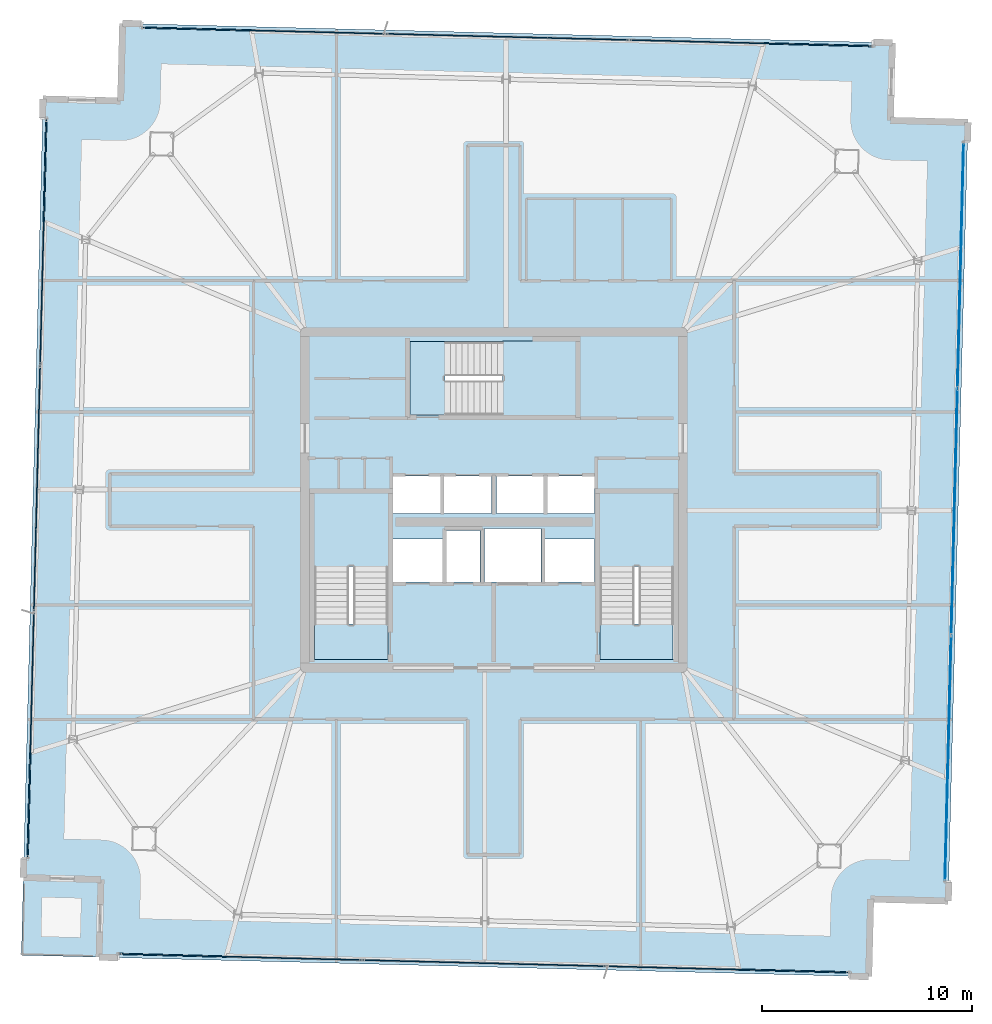
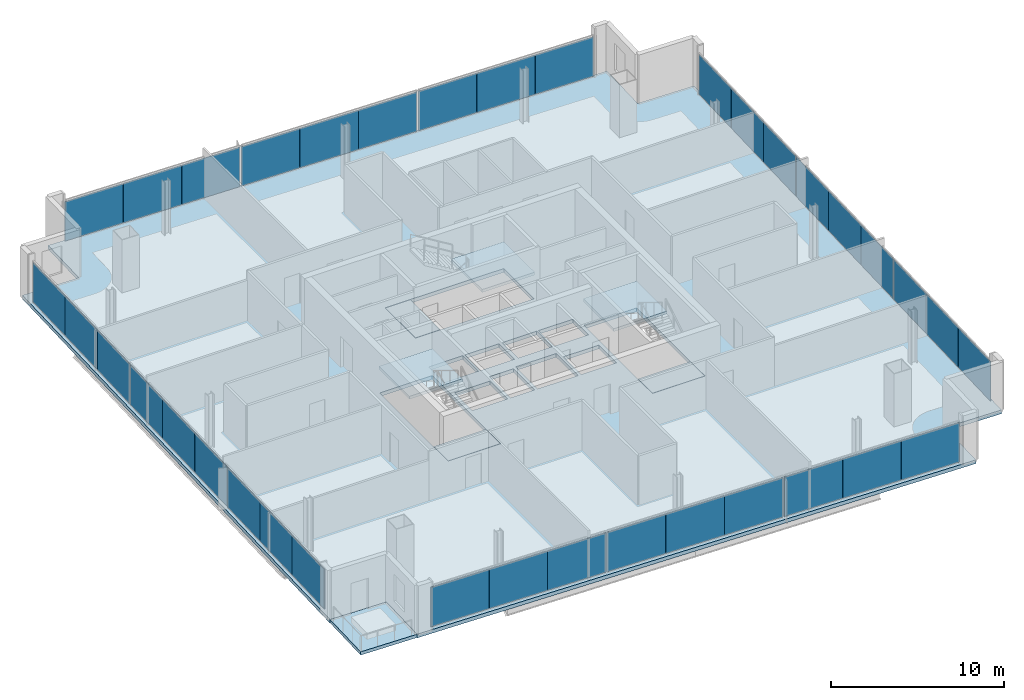
# One storey, part 18 of 25: 36 plates, 8 slabs, 7 elements without a shape of their own.
"""IFC4 building model written with IfcOpenShell, lengths in metres."""

import ifcopenshell
import ifcopenshell.guid

model = None  # the IFC model being written
_history = None  # IfcOwnerHistory: only IFC2X3 demands one
_inside = {}  # id of a spatial element -> (the spatial element, [elements in it])
_under = {}  # id of a project, library or spatial element -> (it, [spatial elements below it])
_declared = {}  # id of a project -> (the project, [libraries it declares])
_typed = {}  # id of a type object -> (the type object, [elements of that type])
_made_of = {}  # id of a material, layer set ... -> (it, [elements and type objects made of it])


def new_model(schema):
    """Start an empty IFC model of exactly this schema.

    Asked for "IFC4X3", IfcOpenShell would pick the latest addendum, in which some entities
    have other attributes; the version numbers below select the first issue.
    IFC2X3 requires an IfcOwnerHistory on every rooted entity: one is made here for all.
    """
    global model, _history
    if schema == "IFC4X3":
        model = ifcopenshell.file(schema_version=(4, 3, 0, 0))
    else:
        model = ifcopenshell.file(schema=schema)
    _inside.clear()
    _under.clear()
    _declared.clear()
    _typed.clear()
    _made_of.clear()
    _history = None
    if model.schema == "IFC2X3":
        org = make("IfcOrganization", Name="unknown")
        user = make(
            "IfcPersonAndOrganization",
            ThePerson=make("IfcPerson", FamilyName="unknown"),
            TheOrganization=org,
        )
        app = make(
            "IfcApplication",
            ApplicationDeveloper=org,
            Version="unknown",
            ApplicationFullName="unknown",
            ApplicationIdentifier="unknown",
        )
        _history = make(
            "IfcOwnerHistory",
            OwningUser=user,
            OwningApplication=app,
            ChangeAction="ADDED",
            CreationDate=0,
        )
    return model


def make(cls, **values):
    """One entity of the class cls with the attributes given. An attribute that is None is left unset."""
    return model.create_entity(
        cls, **{name: value for name, value in values.items() if value is not None}
    )


def rooted(cls, **values):
    """An entity with a GlobalId (a new one), such as an element, a storey or a relation."""
    return make(cls, GlobalId=ifcopenshell.guid.new(), OwnerHistory=_history, **values)


def si_unit(unit_type, name, prefix=None):
    """IfcSIUnit, for example si_unit("LENGTHUNIT", "METRE", prefix="MILLI")."""
    return make("IfcSIUnit", UnitType=unit_type, Prefix=prefix, Name=name)


def assignment(units):
    """IfcUnitAssignment: the units of a project."""
    return None if units is None else make("IfcUnitAssignment", Units=units)


def point(xyz):
    """IfcCartesianPoint."""
    return None if xyz is None else make("IfcCartesianPoint", Coordinates=xyz)


def direction(xyz):
    """IfcDirection."""
    return None if xyz is None else make("IfcDirection", DirectionRatios=xyz)


def frame(location, z_axis=None, x_axis=None):
    """IfcAxis2Placement3D, a coordinate frame: its origin and axes. An axis left out is left unset."""
    return make(
        "IfcAxis2Placement3D",
        Location=point(location),
        Axis=direction(z_axis),
        RefDirection=direction(x_axis),
    )


def frame_2d(location, x_axis=None):
    """IfcAxis2Placement2D, a coordinate frame in the plane: its origin and x axis."""
    return make(
        "IfcAxis2Placement2D", Location=point(location), RefDirection=direction(x_axis)
    )


def origin():
    """The frame at (0, 0, 0) with its axes left unset."""
    return frame((0.0, 0.0, 0.0))


def origin_2d():
    """The frame at (0, 0) in the plane with its x axis left unset."""
    return frame_2d((0.0, 0.0))


def place(relative_to, where):
    """IfcLocalPlacement: puts the frame where relative to a parent placement (None: the world)."""
    return make(
        "IfcLocalPlacement", PlacementRelTo=relative_to, RelativePlacement=where
    )


def context(
    kind, dimensions, precision=None, world=None, true_north=None, identifier=None
):
    """IfcGeometricRepresentationContext, for example the 3D "Model" context."""
    return make(
        "IfcGeometricRepresentationContext",
        ContextIdentifier=identifier,
        ContextType=kind,
        CoordinateSpaceDimension=dimensions,
        Precision=precision,
        WorldCoordinateSystem=world,
        TrueNorth=true_north,
    )


def subcontext(parent, identifier, kind, view, scale=None):
    """IfcGeometricRepresentationSubContext, for example "Body" below "Model"."""
    return make(
        "IfcGeometricRepresentationSubContext",
        ContextIdentifier=identifier,
        ContextType=kind,
        ParentContext=parent,
        TargetScale=scale,
        TargetView=view,
    )


def project(units=None, contexts=None):
    """IfcProject with its units and contexts."""
    return rooted(
        "IfcProject",
        Name="project",
        RepresentationContexts=contexts,
        UnitsInContext=assignment(units),
    )


def spatial(cls, under=None, at=None, **own):
    """A site, building, storey or space (cls), placed at a placement, below another one or the project."""
    s = rooted(cls, ObjectPlacement=at, **own)
    if under is not None:
        _under.setdefault(under.id(), (under, []))[1].append(s)
    return s


def polyline(points):
    """IfcPolyline through the points."""
    return make("IfcPolyline", Points=[point(p) for p in points])


def profile(cls, at=None, kind="AREA", **sizes):
    """A parametric profile (cls). Its sizes go by their IFC names, for example OverallWidth=200.0."""
    return make(cls, ProfileType=kind, Position=at, **sizes)


def rectangle(**sizes):
    """IfcRectangleProfileDef."""
    return profile("IfcRectangleProfileDef", **sizes)


def outline(outer, holes=None, kind="AREA"):
    """IfcArbitraryClosedProfileDef: a profile drawn as a closed curve; with holes, ...WithVoids."""
    if holes is None:
        return make("IfcArbitraryClosedProfileDef", ProfileType=kind, OuterCurve=outer)
    return make(
        "IfcArbitraryProfileDefWithVoids",
        ProfileType=kind,
        OuterCurve=outer,
        InnerCurves=holes,
    )


def extrude(swept, where, along, depth):
    """IfcExtrudedAreaSolid: the profile swept, set in the frame where, extruded along a direction by depth."""
    return make(
        "IfcExtrudedAreaSolid",
        SweptArea=swept,
        Position=where,
        ExtrudedDirection=direction(along),
        Depth=depth,
    )


def shape(context_of_items, identifier, shape_type, items):
    """IfcShapeRepresentation: the items that make up one representation, for example the "Body"."""
    return make(
        "IfcShapeRepresentation",
        ContextOfItems=context_of_items,
        RepresentationIdentifier=identifier,
        RepresentationType=shape_type,
        Items=items,
    )


def source(mapping_origin, context_of_items, identifier, shape_type, items):
    """IfcRepresentationMap: a shape defined once, which mapped items show again and again."""
    return make(
        "IfcRepresentationMap",
        MappingOrigin=mapping_origin,
        MappedRepresentation=shape(context_of_items, identifier, shape_type, items),
    )


def transform(
    local_origin,
    x_axis=None,
    y_axis=None,
    z_axis=None,
    scale=None,
    scale2=None,
    scale3=None,
    uniform=True,
):
    """IfcCartesianTransformationOperator3D, or its non-uniform kind. x_axis, y_axis, z_axis: its Axis1, 2, 3."""
    if uniform:
        return make(
            "IfcCartesianTransformationOperator3D",
            Axis1=direction(x_axis),
            Axis2=direction(y_axis),
            LocalOrigin=point(local_origin),
            Scale=scale,
            Axis3=direction(z_axis),
        )
    return make(
        "IfcCartesianTransformationOperator3DnonUniform",
        Axis1=direction(x_axis),
        Axis2=direction(y_axis),
        LocalOrigin=point(local_origin),
        Scale=scale,
        Axis3=direction(z_axis),
        Scale2=scale2,
        Scale3=scale3,
    )


def mapped(mapping_source, mapping_target):
    """IfcMappedItem: shows the shape of a source again, moved by a transform."""
    return make(
        "IfcMappedItem", MappingSource=mapping_source, MappingTarget=mapping_target
    )


def material(Name=None, Category=None):
    """IfcMaterial."""
    return make("IfcMaterial", Name=Name, Category=Category)


def layer(
    of_material, thickness, ventilated=None, Name=None, Category=None, Priority=None
):
    """IfcMaterialLayer: one layer of a wall or slab, of a material (None: an air gap)."""
    return make(
        "IfcMaterialLayer",
        Material=of_material,
        LayerThickness=thickness,
        IsVentilated=ventilated,
        Name=Name,
        Category=Category,
        Priority=Priority,
    )


def layer_set(layers, Name=None):
    """IfcMaterialLayerSet."""
    return make("IfcMaterialLayerSet", MaterialLayers=layers, LayerSetName=Name)


def made_of(thing, what):
    """Note that an element or type object is made of a material, layer set ...; save() writes the relation."""
    if what is not None:
        _made_of.setdefault(what.id(), (what, []))[1].append(thing)
    return thing


def type_object(cls, material=None, **own):
    """A type object (cls), such as IfcWallType, which elements share."""
    return made_of(rooted(cls, **own), material)


def element(
    cls,
    number,
    at=None,
    inside=None,
    cuts=None,
    type_object=None,
    material=None,
    context=None,
    identifier="Body",
    shape_type=None,
    held_by="IfcProductDefinitionShape",
    body=None,
    shapes=None,
    **own,
):
    """One element of the class cls, such as IfcWall. Its Tag is "e" and its number.

    at: its placement. inside: the storey or other place that contains it. cuts: it is an
    opening in that element (IfcRelVoidsElement). A single representation is given by context,
    identifier, shape_type and body (its items); several are given by shapes. held_by: the class
    of the entity that holds the representations. save() writes the other relations.
    """
    e = rooted(cls, Tag="e%d" % number, ObjectPlacement=at, **own)
    if body is not None:
        shapes = [shape(context, identifier, shape_type, body)]
    if shapes is not None:
        e.Representation = make(held_by, Representations=shapes)
    if inside is not None:
        _inside.setdefault(inside.id(), (inside, []))[1].append(e)
    if cuts is not None:
        rooted(
            "IfcRelVoidsElement", RelatingBuildingElement=cuts, RelatedOpeningElement=e
        )
    if type_object is not None:
        _typed.setdefault(type_object.id(), (type_object, []))[1].append(e)
    return made_of(e, material)


def aggregate(whole, parts):
    """IfcRelAggregates: a whole, such as a stair, and the parts it consists of."""
    return rooted("IfcRelAggregates", RelatingObject=whole, RelatedObjects=parts)


def save(model, path):
    """Write the relations noted so far, then the file.

    IfcRelAggregates (storeys below a building ...), IfcRelContainedInSpatialStructure (elements
    in a storey), IfcRelDefinesByType, IfcRelAssociatesMaterial and IfcRelDeclares: one each for
    every whole, place, type object, material and project.
    """
    for whole, parts in _under.values():
        aggregate(whole, parts)
    for where, things in _inside.values():
        rooted(
            "IfcRelContainedInSpatialStructure",
            RelatedElements=things,
            RelatingStructure=where,
        )
    for kind, things in _typed.values():
        rooted("IfcRelDefinesByType", RelatedObjects=things, RelatingType=kind)
    for what, things in _made_of.values():
        rooted("IfcRelAssociatesMaterial", RelatedObjects=things, RelatingMaterial=what)
    for by, libraries in _declared.values():
        rooted("IfcRelDeclares", RelatingContext=by, RelatedDefinitions=libraries)
    model.write(path)


model = new_model("IFC4")

# Units and contexts
model_context = context("Model", 3, precision=1e-05, world=origin(), true_north=direction((0.0, 1.0)))
body_context = subcontext(model_context, "Body", "Model", "MODEL_VIEW")
ifc_project = project(units=[si_unit("LENGTHUNIT", "METRE"), si_unit("AREAUNIT", "SQUARE_METRE"), si_unit("VOLUMEUNIT", "CUBIC_METRE"), si_unit("PLANEANGLEUNIT", "RADIAN"), si_unit("MASSUNIT", "GRAM", prefix="KILO")], contexts=[model_context])

# Site, building, storey
site_placement = place(None, origin())
site = spatial("IfcSite", under=ifc_project, at=site_placement, CompositionType="ELEMENT")
building_placement = place(site_placement, origin())
building = spatial("IfcBuilding", under=site, at=building_placement, Name="Haldenkirk Collegiate Tower", CompositionType="ELEMENT")
storey_placement = place(building_placement, frame((0.0, 0.0, 325.199951171875)))
storey = spatial("IfcBuildingStorey", under=building, at=storey_placement, Name="L82", CompositionType="ELEMENT", Elevation=325.199951171875)

# Slab
ifc_material_1 = material(Name="Concrete f'c 40 MPa", Category="concrete")
ifc_layer_1 = layer(ifc_material_1, 0.260009765625)
ifc_layer_set_1 = layer_set([ifc_layer_1], Name="Concrete f'c 40 MPa")
slab_type_1 = type_object("IfcSlabType", Name="SLB-FLR-260", PredefinedType="FLOOR", material=ifc_layer_set_1)
slab_1_placement = place(storey_placement, frame((0.0, 0.0, -0.260009765625)))
element("IfcSlab", 1, at=slab_1_placement, inside=storey, type_object=slab_type_1, Name="L82 composite structural floor slab", PredefinedType="FLOOR", context=body_context, shape_type="SweptSolid", body=[
    extrude(outline(polyline([(57.6484375, 6.89599609375), (58.58740234375, 43.984130859375), (54.888427734375, 44.077880859375), (54.982177734375, 47.776611328125), (18.31884765625, 48.70458984375), (18.22509765625, 45.005859375), (14.5263671875, 45.099609375), (13.587646484375, 8.011474609375), (17.286376953125, 7.917724609375), (17.19287109375, 4.218994140625), (53.856201171875, 3.291015625), (53.94970703125, 6.98974609375), (57.6484375, 6.89599609375)]), holes=[polyline([(27.449951171875, 18.39990234375), (30.949951171875, 18.39990234375), (30.949951171875, 26.300048828125), (27.449951171875, 26.300048828125), (27.449951171875, 18.39990234375)]), polyline([(41.050048828125, 18.39990234375), (44.550048828125, 18.39990234375), (44.550048828125, 26.300048828125), (41.050048828125, 26.300048828125), (41.050048828125, 18.39990234375)]), polyline([(32.0, 30.050048828125), (39.89990234375, 30.050048828125), (39.89990234375, 33.550048828125), (32.0, 33.550048828125), (32.0, 30.050048828125)]), polyline([(33.75, 22.10009765625), (35.35009765625, 22.10009765625), (35.35009765625, 24.550048828125), (33.75, 24.550048828125), (33.75, 22.10009765625)]), polyline([(31.199951171875, 25.35009765625), (33.47998046875, 25.35009765625), (33.47998046875, 27.14990234375), (31.199951171875, 27.14990234375), (31.199951171875, 25.35009765625)]), polyline([(33.60009765625, 25.35009765625), (35.8798828125, 25.35009765625), (35.8798828125, 27.14990234375), (33.60009765625, 27.14990234375), (33.60009765625, 25.35009765625)]), polyline([(36.1201171875, 25.35009765625), (38.39990234375, 25.35009765625), (38.39990234375, 27.14990234375), (36.1201171875, 27.14990234375), (36.1201171875, 25.35009765625)]), polyline([(38.52001953125, 25.35009765625), (40.800048828125, 25.35009765625), (40.800048828125, 27.14990234375), (38.52001953125, 27.14990234375), (38.52001953125, 25.35009765625)]), polyline([(31.199951171875, 22.10009765625), (33.550048828125, 22.10009765625), (33.550048828125, 24.14990234375), (31.199951171875, 24.14990234375), (31.199951171875, 22.10009765625)]), polyline([(38.449951171875, 22.10009765625), (40.800048828125, 22.10009765625), (40.800048828125, 24.14990234375), (38.449951171875, 24.14990234375), (38.449951171875, 22.10009765625)]), polyline([(35.550048828125, 22.10009765625), (38.25, 22.10009765625), (38.25, 24.64990234375), (35.550048828125, 24.64990234375), (35.550048828125, 22.10009765625)])]), origin(), (0.0, 0.0, 1.0), 0.260009765625),
])

# Stair, slab
stair_type = type_object("IfcStairType", Name="STR-DOGLEG-1650", PredefinedType="HALF_TURN_STAIR", material=ifc_material_1)
stair_1_placement = place(storey_placement, origin())
stair_1 = element("IfcStair", 2, at=stair_1_placement, inside=storey, type_object=stair_type, Name="L82 Core Exit Stair ST-1", PredefinedType="HALF_TURN_STAIR")
ifc_layer_2 = layer(ifc_material_1, 0.199951171875)
ifc_layer_set_2 = layer_set([ifc_layer_2], Name="Concrete f'c 40 MPa")
slab_type_2 = type_object("IfcSlabType", Name="SLB-LANDING-200", PredefinedType="LANDING", material=ifc_layer_set_2)
slab_2_placement = place(storey_placement, frame((0.0, 0.0, 1.675048828125)))
slab_2 = element("IfcSlab", 3, at=slab_2_placement, type_object=slab_type_2, Name="ST-1 landing 1", PredefinedType="LANDING", context=body_context, shape_type="SweptSolid", body=[
    extrude(outline(polyline([(30.97509765625, 22.824951171875), (27.425048828125, 22.824951171875), (27.425048828125, 26.324951171875), (30.97509765625, 26.324951171875), (30.97509765625, 22.824951171875)])), origin(), (0.0, 0.0, 1.0), 0.199951171875),
])
aggregate(stair_1, [slab_2])

stair_2_placement = place(storey_placement, origin())
stair_2 = element("IfcStair", 4, at=stair_2_placement, inside=storey, type_object=stair_type, Name="L82 Core Exit Stair ST-2", PredefinedType="HALF_TURN_STAIR")
slab_3_placement = place(storey_placement, frame((0.0, 0.0, 1.675048828125)))
slab_3 = element("IfcSlab", 5, at=slab_3_placement, type_object=slab_type_2, Name="ST-2 landing 1", PredefinedType="LANDING", context=body_context, shape_type="SweptSolid", body=[
    extrude(outline(polyline([(44.574951171875, 22.824951171875), (41.02490234375, 22.824951171875), (41.02490234375, 26.324951171875), (44.574951171875, 26.324951171875), (44.574951171875, 22.824951171875)])), origin(), (0.0, 0.0, 1.0), 0.199951171875),
])
aggregate(stair_2, [slab_3])

stair_3_placement = place(storey_placement, origin())
stair_3 = element("IfcStair", 6, at=stair_3_placement, inside=storey, type_object=stair_type, Name="L82 Core Exit Stair ST-3", PredefinedType="HALF_TURN_STAIR")
slab_4_placement = place(storey_placement, frame((0.0, 0.0, 1.675048828125)))
slab_4 = element("IfcSlab", 7, at=slab_4_placement, type_object=slab_type_2, Name="ST-3 landing 1", PredefinedType="LANDING", context=body_context, shape_type="SweptSolid", body=[
    extrude(outline(polyline([(36.425048828125, 30.02490234375), (36.425048828125, 33.574951171875), (39.925048828125, 33.574951171875), (39.925048828125, 30.02490234375), (36.425048828125, 30.02490234375)])), origin(), (0.0, 0.0, 1.0), 0.199951171875),
])
aggregate(stair_3, [slab_4])

# Slabs
ifc_layer_3 = layer(ifc_material_1, 0.25)
ifc_layer_set_3 = layer_set([ifc_layer_3], Name="Concrete f'c 40 MPa")
slab_type_3 = type_object("IfcSlabType", Name="SLB-STAIRLAND-250", PredefinedType="LANDING", material=ifc_layer_set_3)
slab_5_placement = place(storey_placement, frame((0.0, 0.0, -0.25)))
element("IfcSlab", 8, at=slab_5_placement, inside=storey, type_object=slab_type_3, Name="L82 stair ST1 structural floor landing slab", PredefinedType="LANDING", context=body_context, shape_type="SweptSolid", body=[
    extrude(outline(polyline([(27.4599609375, 18.409912109375), (30.93994140625, 18.409912109375), (30.93994140625, 20.080078125), (27.4599609375, 20.080078125), (27.4599609375, 18.409912109375)])), origin(), (0.0, 0.0, 1.0), 0.25),
])
slab_6_placement = place(storey_placement, frame((0.0, 0.0, -0.25)))
element("IfcSlab", 9, at=slab_6_placement, inside=storey, type_object=slab_type_3, Name="L82 stair ST2 structural floor landing slab", PredefinedType="LANDING", context=body_context, shape_type="SweptSolid", body=[
    extrude(outline(polyline([(41.06005859375, 18.409912109375), (44.5400390625, 18.409912109375), (44.5400390625, 20.080078125), (41.06005859375, 20.080078125), (41.06005859375, 18.409912109375)])), origin(), (0.0, 0.0, 1.0), 0.25),
])
slab_7_placement = place(storey_placement, frame((0.0, 0.0, -0.25)))
element("IfcSlab", 10, at=slab_7_placement, inside=storey, type_object=slab_type_3, Name="L82 stair ST3 structural floor landing slab", PredefinedType="LANDING", context=body_context, shape_type="SweptSolid", body=[
    extrude(outline(polyline([(32.010009765625, 30.06005859375), (33.679931640625, 30.06005859375), (33.679931640625, 33.5400390625), (32.010009765625, 33.5400390625), (32.010009765625, 30.06005859375)])), origin(), (0.0, 0.0, 1.0), 0.25),
])
ifc_layer_4 = layer(ifc_material_1, 0.22998046875)
ifc_layer_set_4 = layer_set([ifc_layer_4], Name="Concrete f'c 40 MPa")
slab_type_4 = type_object("IfcSlabType", Name="SLB-TERR-SPIRAL-230", PredefinedType="FLOOR", material=ifc_layer_set_4)
slab_8_placement = place(storey_placement, frame((0.0, 0.0, -0.22998046875)))
element("IfcSlab", 11, at=slab_8_placement, inside=storey, type_object=slab_type_4, Name="L82 spiralling corner terrace slab", PredefinedType="FLOOR", context=body_context, shape_type="SweptSolid", body=[
    extrude(outline(polyline([(17.19287109375, 4.218994140625), (17.286376953125, 7.917724609375), (13.587646484375, 8.011474609375), (13.493896484375, 4.3125), (17.19287109375, 4.218994140625)])), origin(), (0.0, 0.0, 1.0), 0.22998046875),
])

# Curtain wall, plates
ifc_material_2 = material(Name="Anodised architectural bronze aluminium", Category="aluminium")
curtain_wall_type_1 = type_object("IfcCurtainWallType", Name="CW-SYS2-CONCAVE", PredefinedType="USERDEFINED", material=ifc_material_2)
curtain_wall_1_placement = place(storey_placement, origin())
curtain_wall_1 = element("IfcCurtainWall", 12, at=curtain_wall_1_placement, inside=storey, type_object=curtain_wall_type_1, Name="L82 South concave recessed bronze-anodised curtain wall", ObjectType="UNITISED CURTAIN WALL", PredefinedType="USERDEFINED")
ifc_material_3 = material(Name="Low-E argon triple insulating glass", Category="glass")
ifc_layer_5 = layer(ifc_material_3, 0.0419921875)
ifc_layer_set_5 = layer_set([ifc_layer_5], Name="Low-E argon triple insulating glass")
plate_type_1 = type_object("IfcPlateType", Name="CW-PNL-02", PredefinedType="CURTAIN_PANEL", material=ifc_layer_set_5)
shared_shape_1 = source(origin(), body_context, "Body", "SweptSolid", [
    extrude(rectangle(XDim=3.872314453125, YDim=0.0419921875, at=origin_2d()), origin(), (0.0, 0.0, 1.0), 2.798095703125),
])
plate_1_placement = place(storey_placement, frame((58.333740234375, 41.07861328125, 0.0751953125), z_axis=(0.0, 0.0, 1.0), x_axis=(-0.025303114586, -0.99967982494, 0.0)))
plate_1 = element("IfcPlate", 13, at=plate_1_placement, type_object=plate_type_1, Name="CW-02 panel 1.1a", PredefinedType="CURTAIN_PANEL", context=body_context, shape_type="MappedRepresentation", body=[
    mapped(shared_shape_1, transform((0.0, 0.0, 0.0), x_axis=(1.0, 0.0, 0.0), y_axis=(0.0, 1.0, 0.0), z_axis=(0.0, 0.0, 1.0), scale=1.0)),
])
ifc_material_4 = material(Name="Bronze-anodised insulated aluminium spandrel panel", Category="aluminium")
ifc_layer_6 = layer(ifc_material_4, 0.0419921875)
ifc_layer_set_6 = layer_set([ifc_layer_6], Name="Bronze-anodised insulated aluminium spandrel panel")
plate_type_2 = type_object("IfcPlateType", Name="CW-SPD-02", PredefinedType="CURTAIN_PANEL", material=ifc_layer_set_6)
plate_2_placement = place(storey_placement, frame((58.13671875, 33.29931640625, 0.0751953125), z_axis=(0.0, 0.0, 1.0), x_axis=(-0.025303114586, -0.99967982494, 0.0)))
plate_2 = element("IfcPlate", 14, at=plate_2_placement, type_object=plate_type_2, Name="CW-02 spandrel panel 1.1c", PredefinedType="CURTAIN_PANEL", context=body_context, shape_type="MappedRepresentation", body=[
    mapped(shared_shape_1, transform((0.0, 0.0, 0.0), x_axis=(1.0, 0.0, 0.0), y_axis=(0.0, 1.0, 0.0), z_axis=(0.0, 0.0, 1.0), scale=1.0)),
])
plate_3_placement = place(storey_placement, frame((57.93798828125, 25.44482421875, 0.0751953125), z_axis=(0.0, 0.0, 1.0), x_axis=(-0.025303114586, -0.99967982494, 0.0)))
plate_3 = element("IfcPlate", 15, at=plate_3_placement, type_object=plate_type_1, Name="CW-02 panel 2.1b", PredefinedType="CURTAIN_PANEL", context=body_context, shape_type="MappedRepresentation", body=[
    mapped(shared_shape_1, transform((0.0, 0.0, 0.0), x_axis=(1.0, 0.0, 0.0), y_axis=(0.0, 1.0, 0.0), z_axis=(0.0, 0.0, 1.0), scale=1.0)),
])
plate_4_placement = place(storey_placement, frame((57.7392578125, 17.59033203125, 0.0751953125), z_axis=(0.0, 0.0, 1.0), x_axis=(-0.025303114586, -0.99967982494, 0.0)))
plate_4 = element("IfcPlate", 16, at=plate_4_placement, type_object=plate_type_2, Name="CW-02 spandrel panel 3.1a", PredefinedType="CURTAIN_PANEL", context=body_context, shape_type="MappedRepresentation", body=[
    mapped(shared_shape_1, transform((0.0, 0.0, 0.0), x_axis=(1.0, 0.0, 0.0), y_axis=(0.0, 1.0, 0.0), z_axis=(0.0, 0.0, 1.0), scale=1.0)),
])
plate_5_placement = place(storey_placement, frame((57.542236328125, 9.810791015625, 0.0751953125), z_axis=(0.0, 0.0, 1.0), x_axis=(-0.025303114586, -0.99967982494, 0.0)))
plate_5 = element("IfcPlate", 17, at=plate_5_placement, type_object=plate_type_1, Name="CW-02 panel 3.1c", PredefinedType="CURTAIN_PANEL", context=body_context, shape_type="MappedRepresentation", body=[
    mapped(shared_shape_1, transform((0.0, 0.0, 0.0), x_axis=(1.0, 0.0, 0.0), y_axis=(0.0, 1.0, 0.0), z_axis=(0.0, 0.0, 1.0), scale=1.0)),
])
shared_shape_2 = source(origin(), body_context, "Body", "SweptSolid", [
    extrude(rectangle(XDim=3.859619140625, YDim=0.0419921875, at=origin_2d()), origin(), (0.0, 0.0, 1.0), 2.798095703125),
])
plate_6_placement = place(storey_placement, frame((58.2353515625, 37.18896484375, 0.0751953125), z_axis=(0.0, 0.0, 1.0), x_axis=(-0.025303114586, -0.99967982494, 0.0)))
plate_6 = element("IfcPlate", 18, at=plate_6_placement, type_object=plate_type_1, Name="CW-02 panel 1.1b", PredefinedType="CURTAIN_PANEL", context=body_context, shape_type="MappedRepresentation", body=[
    mapped(shared_shape_2, transform((0.0, 0.0, 0.0), x_axis=(1.0, 0.0, 0.0), y_axis=(0.0, 1.0, 0.0), z_axis=(0.0, 0.0, 1.0), scale=1.0)),
])
plate_7_placement = place(storey_placement, frame((57.640625, 13.70068359375, 0.0751953125), z_axis=(0.0, 0.0, 1.0), x_axis=(-0.025303114586, -0.99967982494, 0.0)))
plate_7 = element("IfcPlate", 19, at=plate_7_placement, type_object=plate_type_1, Name="CW-02 panel 3.1b", PredefinedType="CURTAIN_PANEL", context=body_context, shape_type="MappedRepresentation", body=[
    mapped(shared_shape_2, transform((0.0, 0.0, 0.0), x_axis=(1.0, 0.0, 0.0), y_axis=(0.0, 1.0, 0.0), z_axis=(0.0, 0.0, 1.0), scale=1.0)),
])
shared_shape_3 = source(origin(), body_context, "Body", "SweptSolid", [
    extrude(rectangle(XDim=3.884765625, YDim=0.0419921875, at=origin_2d()), origin(), (0.0, 0.0, 1.0), 2.798095703125),
])
plate_8_placement = place(storey_placement, frame((58.036865234375, 29.346923828125, 0.0751953125), z_axis=(0.0, 0.0, 1.0), x_axis=(-0.025303114586, -0.99967982494, 0.0)))
plate_8 = element("IfcPlate", 20, at=plate_8_placement, type_object=plate_type_2, Name="CW-02 spandrel panel 2.1a", PredefinedType="CURTAIN_PANEL", context=body_context, shape_type="MappedRepresentation", body=[
    mapped(shared_shape_3, transform((0.0, 0.0, 0.0), x_axis=(1.0, 0.0, 0.0), y_axis=(0.0, 1.0, 0.0), z_axis=(0.0, 0.0, 1.0), scale=1.0)),
])
plate_9_placement = place(storey_placement, frame((57.839111328125, 21.54248046875, 0.0751953125), z_axis=(0.0, 0.0, 1.0), x_axis=(-0.025303114586, -0.99967982494, 0.0)))
plate_9 = element("IfcPlate", 21, at=plate_9_placement, type_object=plate_type_2, Name="CW-02 spandrel panel 2.1c", PredefinedType="CURTAIN_PANEL", context=body_context, shape_type="MappedRepresentation", body=[
    mapped(shared_shape_3, transform((0.0, 0.0, 0.0), x_axis=(1.0, 0.0, 0.0), y_axis=(0.0, 1.0, 0.0), z_axis=(0.0, 0.0, 1.0), scale=1.0)),
])
aggregate(curtain_wall_1, [plate_1, plate_6, plate_2, plate_8, plate_3, plate_9, plate_4, plate_7, plate_5])

curtain_wall_type_2 = type_object("IfcCurtainWallType", Name="CW-SYS1B-CONVEX-HI", PredefinedType="USERDEFINED", material=ifc_material_2)
curtain_wall_2_placement = place(storey_placement, origin())
curtain_wall_2 = element("IfcCurtainWall", 22, at=curtain_wall_2_placement, inside=storey, type_object=curtain_wall_type_2, Name="L82 Upper tower high-wind convex bronze unitised curtain wall", ObjectType="UNITISED CURTAIN WALL", PredefinedType="USERDEFINED")
ifc_layer_7 = layer(ifc_material_3, 0.048095703125)
ifc_layer_set_7 = layer_set([ifc_layer_7], Name="Low-E argon triple insulating glass")
plate_type_3 = type_object("IfcPlateType", Name="CW-PNL-1B", PredefinedType="CURTAIN_PANEL", material=ifc_layer_set_7)
shared_shape_4 = source(origin(), body_context, "Body", "SweptSolid", [
    extrude(rectangle(XDim=3.820068359375, YDim=0.048095703125, at=origin_2d()), origin(), (0.0, 0.0, 1.0), 2.778076171875),
])
plate_10_placement = place(storey_placement, frame((21.20849609375, 48.451416015625, 0.0849609375), z_axis=(0.0, 0.0, 1.0), x_axis=(0.999679785238, -0.0253046831, 0.0)))
plate_10 = element("IfcPlate", 23, at=plate_10_placement, type_object=plate_type_3, Name="CW-1B panel 1.1a", PredefinedType="CURTAIN_PANEL", context=body_context, shape_type="MappedRepresentation", body=[
    mapped(shared_shape_4, transform((0.0, 0.0, 0.0), x_axis=(1.0, 0.0, 0.0), y_axis=(0.0, 1.0, 0.0), z_axis=(0.0, 0.0, 1.0), scale=1.0)),
])
ifc_layer_8 = layer(ifc_material_4, 0.048095703125)
ifc_layer_set_8 = layer_set([ifc_layer_8], Name="Bronze-anodised insulated aluminium spandrel panel")
plate_type_4 = type_object("IfcPlateType", Name="CW-SPD-1B", PredefinedType="CURTAIN_PANEL", material=ifc_layer_set_8)
plate_11_placement = place(storey_placement, frame((28.88330078125, 48.257080078125, 0.0849609375), z_axis=(0.0, 0.0, 1.0), x_axis=(0.999679785238, -0.0253046831, 0.0)))
plate_11 = element("IfcPlate", 24, at=plate_11_placement, type_object=plate_type_4, Name="CW-1B spandrel panel 1.1c", PredefinedType="CURTAIN_PANEL", context=body_context, shape_type="MappedRepresentation", body=[
    mapped(shared_shape_4, transform((0.0, 0.0, 0.0), x_axis=(1.0, 0.0, 0.0), y_axis=(0.0, 1.0, 0.0), z_axis=(0.0, 0.0, 1.0), scale=1.0)),
])
plate_12_placement = place(storey_placement, frame((44.408447265625, 47.8642578125, 0.0849609375), z_axis=(0.0, 0.0, 1.0), x_axis=(0.999679785238, -0.0253046831, 0.0)))
plate_12 = element("IfcPlate", 25, at=plate_12_placement, type_object=plate_type_4, Name="CW-1B spandrel panel 3.1a", PredefinedType="CURTAIN_PANEL", context=body_context, shape_type="MappedRepresentation", body=[
    mapped(shared_shape_4, transform((0.0, 0.0, 0.0), x_axis=(1.0, 0.0, 0.0), y_axis=(0.0, 1.0, 0.0), z_axis=(0.0, 0.0, 1.0), scale=1.0)),
])
plate_13_placement = place(storey_placement, frame((52.08349609375, 47.669921875, 0.0849609375), z_axis=(0.0, 0.0, 1.0), x_axis=(0.999679785238, -0.0253046831, 0.0)))
plate_13 = element("IfcPlate", 26, at=plate_13_placement, type_object=plate_type_3, Name="CW-1B panel 3.1c", PredefinedType="CURTAIN_PANEL", context=body_context, shape_type="MappedRepresentation", body=[
    mapped(shared_shape_4, transform((0.0, 0.0, 0.0), x_axis=(1.0, 0.0, 0.0), y_axis=(0.0, 1.0, 0.0), z_axis=(0.0, 0.0, 1.0), scale=1.0)),
])

curtain_wall_3_placement = place(storey_placement, origin())
curtain_wall_3 = element("IfcCurtainWall", 27, at=curtain_wall_3_placement, inside=storey, type_object=curtain_wall_type_2, Name="L82 Upper tower high-wind convex bronze unitised curtain wall", ObjectType="UNITISED CURTAIN WALL", PredefinedType="USERDEFINED")
plate_14_placement = place(storey_placement, frame((50.966552734375, 3.544189453125, 0.0849609375), z_axis=(0.0, 0.0, 1.0), x_axis=(-0.999679859605, 0.025301745011, 0.0)))
plate_14 = element("IfcPlate", 28, at=plate_14_placement, type_object=plate_type_3, Name="CW-1B panel 1.1a", PredefinedType="CURTAIN_PANEL", context=body_context, shape_type="MappedRepresentation", body=[
    mapped(shared_shape_4, transform((0.0, 0.0, 0.0), x_axis=(1.0, 0.0, 0.0), y_axis=(0.0, 1.0, 0.0), z_axis=(0.0, 0.0, 1.0), scale=1.0)),
])
plate_15_placement = place(storey_placement, frame((43.29150390625, 3.73828125, 0.0849609375), z_axis=(0.0, 0.0, 1.0), x_axis=(-0.999679859605, 0.025301745011, 0.0)))
plate_15 = element("IfcPlate", 29, at=plate_15_placement, type_object=plate_type_4, Name="CW-1B spandrel panel 1.1c", PredefinedType="CURTAIN_PANEL", context=body_context, shape_type="MappedRepresentation", body=[
    mapped(shared_shape_4, transform((0.0, 0.0, 0.0), x_axis=(1.0, 0.0, 0.0), y_axis=(0.0, 1.0, 0.0), z_axis=(0.0, 0.0, 1.0), scale=1.0)),
])
plate_16_placement = place(storey_placement, frame((27.7666015625, 4.13134765625, 0.0849609375), z_axis=(0.0, 0.0, 1.0), x_axis=(-0.999679859605, 0.025301745011, 0.0)))
plate_16 = element("IfcPlate", 30, at=plate_16_placement, type_object=plate_type_4, Name="CW-1B spandrel panel 3.1a", PredefinedType="CURTAIN_PANEL", context=body_context, shape_type="MappedRepresentation", body=[
    mapped(shared_shape_4, transform((0.0, 0.0, 0.0), x_axis=(1.0, 0.0, 0.0), y_axis=(0.0, 1.0, 0.0), z_axis=(0.0, 0.0, 1.0), scale=1.0)),
])
plate_17_placement = place(storey_placement, frame((20.091552734375, 4.325439453125, 0.0849609375), z_axis=(0.0, 0.0, 1.0), x_axis=(-0.999679859605, 0.025301745011, 0.0)))
plate_17 = element("IfcPlate", 31, at=plate_17_placement, type_object=plate_type_3, Name="CW-1B panel 3.1c", PredefinedType="CURTAIN_PANEL", context=body_context, shape_type="MappedRepresentation", body=[
    mapped(shared_shape_4, transform((0.0, 0.0, 0.0), x_axis=(1.0, 0.0, 0.0), y_axis=(0.0, 1.0, 0.0), z_axis=(0.0, 0.0, 1.0), scale=1.0)),
])

# Plate
shared_shape_5 = source(origin(), body_context, "Body", "SweptSolid", [
    extrude(rectangle(XDim=3.8076171875, YDim=0.048095703125, at=origin_2d()), origin(), (0.0, 0.0, 1.0), 2.778076171875),
])
plate_18_placement = place(storey_placement, frame((25.0458984375, 48.3544921875, 0.0849609375), z_axis=(0.0, 0.0, 1.0), x_axis=(0.999679785238, -0.0253046831, 0.0)))
plate_18 = element("IfcPlate", 32, at=plate_18_placement, type_object=plate_type_3, Name="CW-1B panel 1.1b", PredefinedType="CURTAIN_PANEL", context=body_context, shape_type="MappedRepresentation", body=[
    mapped(shared_shape_5, transform((0.0, 0.0, 0.0), x_axis=(1.0, 0.0, 0.0), y_axis=(0.0, 1.0, 0.0), z_axis=(0.0, 0.0, 1.0), scale=1.0)),
])

plate_19_placement = place(storey_placement, frame((48.245849609375, 47.76708984375, 0.0849609375), z_axis=(0.0, 0.0, 1.0), x_axis=(0.999679785238, -0.0253046831, 0.0)))
plate_19 = element("IfcPlate", 33, at=plate_19_placement, type_object=plate_type_3, Name="CW-1B panel 3.1b", PredefinedType="CURTAIN_PANEL", context=body_context, shape_type="MappedRepresentation", body=[
    mapped(shared_shape_5, transform((0.0, 0.0, 0.0), x_axis=(1.0, 0.0, 0.0), y_axis=(0.0, 1.0, 0.0), z_axis=(0.0, 0.0, 1.0), scale=1.0)),
])

plate_20_placement = place(storey_placement, frame((47.129150390625, 3.64111328125, 0.0849609375), z_axis=(0.0, 0.0, 1.0), x_axis=(-0.999679859605, 0.025301745011, 0.0)))
plate_20 = element("IfcPlate", 34, at=plate_20_placement, type_object=plate_type_3, Name="CW-1B panel 1.1b", PredefinedType="CURTAIN_PANEL", context=body_context, shape_type="MappedRepresentation", body=[
    mapped(shared_shape_5, transform((0.0, 0.0, 0.0), x_axis=(1.0, 0.0, 0.0), y_axis=(0.0, 1.0, 0.0), z_axis=(0.0, 0.0, 1.0), scale=1.0)),
])

plate_21_placement = place(storey_placement, frame((23.928955078125, 4.228515625, 0.0849609375), z_axis=(0.0, 0.0, 1.0), x_axis=(-0.999679859605, 0.025301745011, 0.0)))
plate_21 = element("IfcPlate", 35, at=plate_21_placement, type_object=plate_type_3, Name="CW-1B panel 3.1b", PredefinedType="CURTAIN_PANEL", context=body_context, shape_type="MappedRepresentation", body=[
    mapped(shared_shape_5, transform((0.0, 0.0, 0.0), x_axis=(1.0, 0.0, 0.0), y_axis=(0.0, 1.0, 0.0), z_axis=(0.0, 0.0, 1.0), scale=1.0)),
])

shared_shape_6 = source(origin(), body_context, "Body", "SweptSolid", [
    extrude(rectangle(XDim=3.834228515625, YDim=0.048095703125, at=origin_2d()), origin(), (0.0, 0.0, 1.0), 2.778076171875),
])
plate_22_placement = place(storey_placement, frame((32.794189453125, 48.158203125, 0.0849609375), z_axis=(0.0, 0.0, 1.0), x_axis=(0.999679785238, -0.0253046831, 0.0)))
plate_22 = element("IfcPlate", 36, at=plate_22_placement, type_object=plate_type_4, Name="CW-1B spandrel panel 2.1a", PredefinedType="CURTAIN_PANEL", context=body_context, shape_type="MappedRepresentation", body=[
    mapped(shared_shape_6, transform((0.0, 0.0, 0.0), x_axis=(1.0, 0.0, 0.0), y_axis=(0.0, 1.0, 0.0), z_axis=(0.0, 0.0, 1.0), scale=1.0)),
])

plate_23_placement = place(storey_placement, frame((40.49755859375, 47.96337890625, 0.0849609375), z_axis=(0.0, 0.0, 1.0), x_axis=(0.999679785238, -0.0253046831, 0.0)))
plate_23 = element("IfcPlate", 37, at=plate_23_placement, type_object=plate_type_4, Name="CW-1B spandrel panel 2.1c", PredefinedType="CURTAIN_PANEL", context=body_context, shape_type="MappedRepresentation", body=[
    mapped(shared_shape_6, transform((0.0, 0.0, 0.0), x_axis=(1.0, 0.0, 0.0), y_axis=(0.0, 1.0, 0.0), z_axis=(0.0, 0.0, 1.0), scale=1.0)),
])

plate_24_placement = place(storey_placement, frame((39.380615234375, 3.83740234375, 0.0849609375), z_axis=(0.0, 0.0, 1.0), x_axis=(-0.999679859605, 0.025301745011, 0.0)))
plate_24 = element("IfcPlate", 38, at=plate_24_placement, type_object=plate_type_4, Name="CW-1B spandrel panel 2.1a", PredefinedType="CURTAIN_PANEL", context=body_context, shape_type="MappedRepresentation", body=[
    mapped(shared_shape_6, transform((0.0, 0.0, 0.0), x_axis=(1.0, 0.0, 0.0), y_axis=(0.0, 1.0, 0.0), z_axis=(0.0, 0.0, 1.0), scale=1.0)),
])

plate_25_placement = place(storey_placement, frame((31.677490234375, 4.0322265625, 0.0849609375), z_axis=(0.0, 0.0, 1.0), x_axis=(-0.999679859605, 0.025301745011, 0.0)))
plate_25 = element("IfcPlate", 39, at=plate_25_placement, type_object=plate_type_4, Name="CW-1B spandrel panel 2.1c", PredefinedType="CURTAIN_PANEL", context=body_context, shape_type="MappedRepresentation", body=[
    mapped(shared_shape_6, transform((0.0, 0.0, 0.0), x_axis=(1.0, 0.0, 0.0), y_axis=(0.0, 1.0, 0.0), z_axis=(0.0, 0.0, 1.0), scale=1.0)),
])

shared_shape_7 = source(origin(), body_context, "Body", "SweptSolid", [
    extrude(rectangle(XDim=3.82177734375, YDim=0.048095703125, at=origin_2d()), origin(), (0.0, 0.0, 1.0), 2.778076171875),
])
plate_26_placement = place(storey_placement, frame((36.64599609375, 48.060791015625, 0.0849609375), z_axis=(0.0, 0.0, 1.0), x_axis=(0.999679785238, -0.0253046831, 0.0)))
plate_26 = element("IfcPlate", 40, at=plate_26_placement, type_object=plate_type_3, Name="CW-1B panel 2.1b", PredefinedType="CURTAIN_PANEL", context=body_context, shape_type="MappedRepresentation", body=[
    mapped(shared_shape_7, transform((0.0, 0.0, 0.0), x_axis=(1.0, 0.0, 0.0), y_axis=(0.0, 1.0, 0.0), z_axis=(0.0, 0.0, 1.0), scale=1.0)),
])

aggregate(curtain_wall_2, [plate_10, plate_18, plate_11, plate_22, plate_26, plate_23, plate_12, plate_19, plate_13])

plate_27_placement = place(storey_placement, frame((35.529052734375, 3.934814453125, 0.0849609375), z_axis=(0.0, 0.0, 1.0), x_axis=(-0.999679859605, 0.025301745011, 0.0)))
plate_27 = element("IfcPlate", 41, at=plate_27_placement, type_object=plate_type_3, Name="CW-1B panel 2.1b", PredefinedType="CURTAIN_PANEL", context=body_context, shape_type="MappedRepresentation", body=[
    mapped(shared_shape_7, transform((0.0, 0.0, 0.0), x_axis=(1.0, 0.0, 0.0), y_axis=(0.0, 1.0, 0.0), z_axis=(0.0, 0.0, 1.0), scale=1.0)),
])

aggregate(curtain_wall_3, [plate_14, plate_20, plate_15, plate_24, plate_27, plate_25, plate_16, plate_21, plate_17])

# Curtain wall, plates
curtain_wall_4_placement = place(storey_placement, origin())
curtain_wall_4 = element("IfcCurtainWall", 42, at=curtain_wall_4_placement, inside=storey, type_object=curtain_wall_type_2, Name="L82 Upper tower high-wind convex bronze unitised curtain wall", ObjectType="UNITISED CURTAIN WALL", PredefinedType="USERDEFINED")
shared_shape_8 = source(origin(), body_context, "Body", "SweptSolid", [
    extrude(rectangle(XDim=3.8671875, YDim=0.048095703125, at=origin_2d()), origin(), (0.0, 0.0, 1.0), 2.778076171875),
])
plate_28_placement = place(storey_placement, frame((13.84130859375, 10.924560546875, 0.0849609375), z_axis=(0.0, 0.0, 1.0), x_axis=(0.025303114586, 0.99967982494, 0.0)))
plate_28 = element("IfcPlate", 43, at=plate_28_placement, type_object=plate_type_3, Name="CW-1B panel 1.1a", PredefinedType="CURTAIN_PANEL", context=body_context, shape_type="MappedRepresentation", body=[
    mapped(shared_shape_8, transform((0.0, 0.0, 0.0), x_axis=(1.0, 0.0, 0.0), y_axis=(0.0, 1.0, 0.0), z_axis=(0.0, 0.0, 1.0), scale=1.0)),
])
plate_29_placement = place(storey_placement, frame((14.0380859375, 18.69384765625, 0.0849609375), z_axis=(0.0, 0.0, 1.0), x_axis=(0.025303114586, 0.99967982494, 0.0)))
plate_29 = element("IfcPlate", 44, at=plate_29_placement, type_object=plate_type_4, Name="CW-1B spandrel panel 1.1c", PredefinedType="CURTAIN_PANEL", context=body_context, shape_type="MappedRepresentation", body=[
    mapped(shared_shape_8, transform((0.0, 0.0, 0.0), x_axis=(1.0, 0.0, 0.0), y_axis=(0.0, 1.0, 0.0), z_axis=(0.0, 0.0, 1.0), scale=1.0)),
])
plate_30_placement = place(storey_placement, frame((14.435791015625, 34.40771484375, 0.0849609375), z_axis=(0.0, 0.0, 1.0), x_axis=(0.025303114586, 0.99967982494, 0.0)))
plate_30 = element("IfcPlate", 45, at=plate_30_placement, type_object=plate_type_4, Name="CW-1B spandrel panel 3.1a", PredefinedType="CURTAIN_PANEL", context=body_context, shape_type="MappedRepresentation", body=[
    mapped(shared_shape_8, transform((0.0, 0.0, 0.0), x_axis=(1.0, 0.0, 0.0), y_axis=(0.0, 1.0, 0.0), z_axis=(0.0, 0.0, 1.0), scale=1.0)),
])
plate_31_placement = place(storey_placement, frame((14.63232421875, 42.17724609375, 0.0849609375), z_axis=(0.0, 0.0, 1.0), x_axis=(0.025303114586, 0.99967982494, 0.0)))
plate_31 = element("IfcPlate", 46, at=plate_31_placement, type_object=plate_type_3, Name="CW-1B panel 3.1c", PredefinedType="CURTAIN_PANEL", context=body_context, shape_type="MappedRepresentation", body=[
    mapped(shared_shape_8, transform((0.0, 0.0, 0.0), x_axis=(1.0, 0.0, 0.0), y_axis=(0.0, 1.0, 0.0), z_axis=(0.0, 0.0, 1.0), scale=1.0)),
])
shared_shape_9 = source(origin(), body_context, "Body", "SweptSolid", [
    extrude(rectangle(XDim=3.854736328125, YDim=0.048095703125, at=origin_2d()), origin(), (0.0, 0.0, 1.0), 2.778076171875),
])
plate_32_placement = place(storey_placement, frame((13.939697265625, 14.80908203125, 0.0849609375), z_axis=(0.0, 0.0, 1.0), x_axis=(0.025303114586, 0.99967982494, 0.0)))
plate_32 = element("IfcPlate", 47, at=plate_32_placement, type_object=plate_type_3, Name="CW-1B panel 1.1b", PredefinedType="CURTAIN_PANEL", context=body_context, shape_type="MappedRepresentation", body=[
    mapped(shared_shape_9, transform((0.0, 0.0, 0.0), x_axis=(1.0, 0.0, 0.0), y_axis=(0.0, 1.0, 0.0), z_axis=(0.0, 0.0, 1.0), scale=1.0)),
])
plate_33_placement = place(storey_placement, frame((14.5341796875, 38.29248046875, 0.0849609375), z_axis=(0.0, 0.0, 1.0), x_axis=(0.025303114586, 0.99967982494, 0.0)))
plate_33 = element("IfcPlate", 48, at=plate_33_placement, type_object=plate_type_3, Name="CW-1B panel 3.1b", PredefinedType="CURTAIN_PANEL", context=body_context, shape_type="MappedRepresentation", body=[
    mapped(shared_shape_9, transform((0.0, 0.0, 0.0), x_axis=(1.0, 0.0, 0.0), y_axis=(0.0, 1.0, 0.0), z_axis=(0.0, 0.0, 1.0), scale=1.0)),
])
shared_shape_10 = source(origin(), body_context, "Body", "SweptSolid", [
    extrude(rectangle(XDim=3.88134765625, YDim=0.048095703125, at=origin_2d()), origin(), (0.0, 0.0, 1.0), 2.778076171875),
])
plate_34_placement = place(storey_placement, frame((14.13818359375, 22.652099609375, 0.0849609375), z_axis=(0.0, 0.0, 1.0), x_axis=(0.025303114586, 0.99967982494, 0.0)))
plate_34 = element("IfcPlate", 49, at=plate_34_placement, type_object=plate_type_4, Name="CW-1B spandrel panel 2.1a", PredefinedType="CURTAIN_PANEL", context=body_context, shape_type="MappedRepresentation", body=[
    mapped(shared_shape_10, transform((0.0, 0.0, 0.0), x_axis=(1.0, 0.0, 0.0), y_axis=(0.0, 1.0, 0.0), z_axis=(0.0, 0.0, 1.0), scale=1.0)),
])
plate_35_placement = place(storey_placement, frame((14.335693359375, 30.44970703125, 0.0849609375), z_axis=(0.0, 0.0, 1.0), x_axis=(0.025303114586, 0.99967982494, 0.0)))
plate_35 = element("IfcPlate", 50, at=plate_35_placement, type_object=plate_type_4, Name="CW-1B spandrel panel 2.1c", PredefinedType="CURTAIN_PANEL", context=body_context, shape_type="MappedRepresentation", body=[
    mapped(shared_shape_10, transform((0.0, 0.0, 0.0), x_axis=(1.0, 0.0, 0.0), y_axis=(0.0, 1.0, 0.0), z_axis=(0.0, 0.0, 1.0), scale=1.0)),
])
shared_shape_11 = source(origin(), body_context, "Body", "SweptSolid", [
    extrude(rectangle(XDim=3.868896484375, YDim=0.048095703125, at=origin_2d()), origin(), (0.0, 0.0, 1.0), 2.778076171875),
])
plate_36_placement = place(storey_placement, frame((14.23681640625, 26.55078125, 0.0849609375), z_axis=(0.0, 0.0, 1.0), x_axis=(0.025303114586, 0.99967982494, 0.0)))
plate_36 = element("IfcPlate", 51, at=plate_36_placement, type_object=plate_type_3, Name="CW-1B panel 2.1b", PredefinedType="CURTAIN_PANEL", context=body_context, shape_type="MappedRepresentation", body=[
    mapped(shared_shape_11, transform((0.0, 0.0, 0.0), x_axis=(1.0, 0.0, 0.0), y_axis=(0.0, 1.0, 0.0), z_axis=(0.0, 0.0, 1.0), scale=1.0)),
])
aggregate(curtain_wall_4, [plate_28, plate_32, plate_29, plate_34, plate_36, plate_35, plate_30, plate_33, plate_31])

save(model, "model.ifc")
